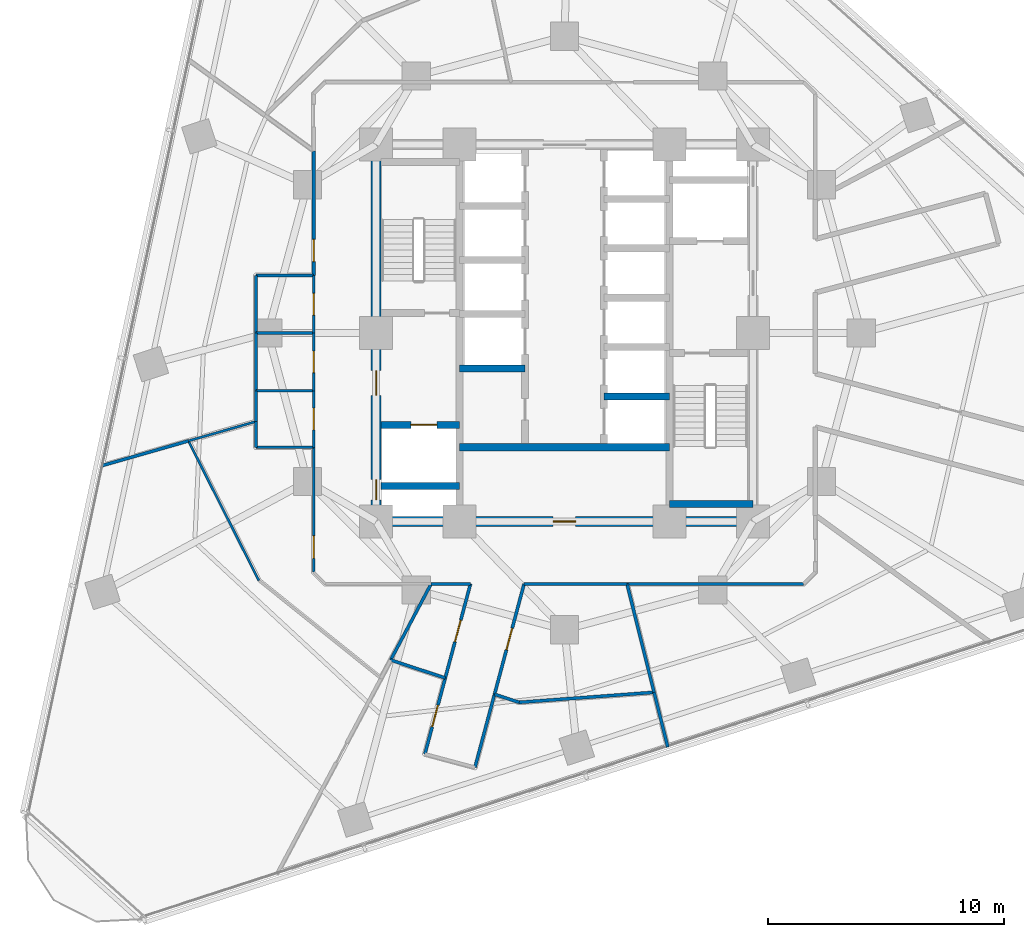
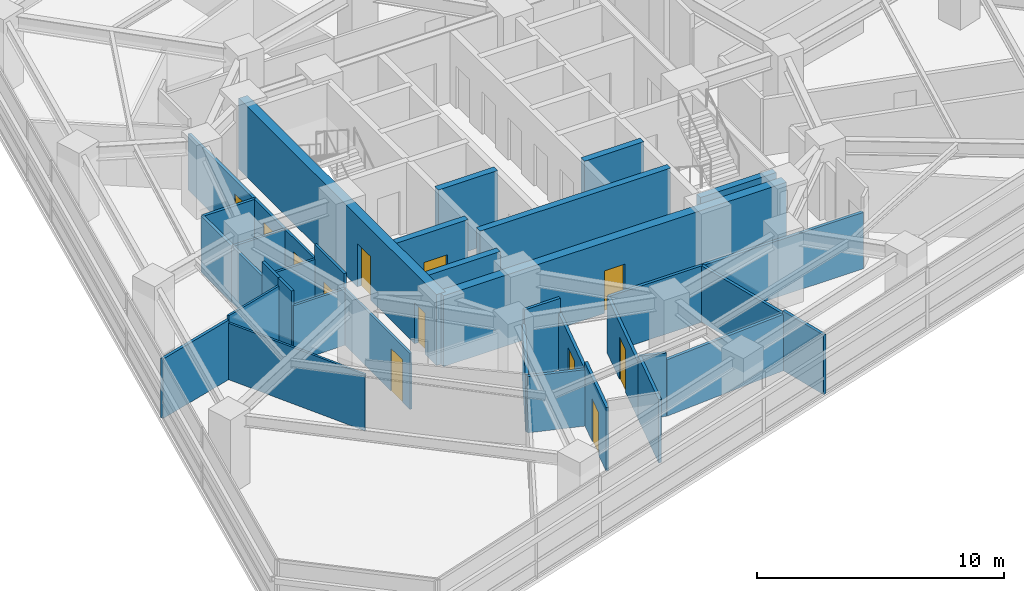
# One storey, part 7 of 13: 37 walls, 12 doors, 12 openings.
"""IFC4 building model written with IfcOpenShell, lengths in metres."""

from ifc_helpers import new_model, si_unit, direction, frame, frame_2d, origin, place, context, subcontext, project, spatial, rectangle, extrude, material, layer, layer_set, type_object, element, fill, save


model = new_model("IFC4")

# Units and contexts
model_context = context("Model", 3, precision=1e-05, world=origin(), true_north=direction((0.0, 1.0)))
body_context = subcontext(model_context, "Body", "Model", "MODEL_VIEW")
ifc_project = project(units=[si_unit("LENGTHUNIT", "METRE"), si_unit("AREAUNIT", "SQUARE_METRE"), si_unit("VOLUMEUNIT", "CUBIC_METRE"), si_unit("PLANEANGLEUNIT", "RADIAN"), si_unit("MASSUNIT", "GRAM", prefix="KILO")], contexts=[model_context])

# Site, building, storey
site_placement = place(None, origin())
site = spatial("IfcSite", under=ifc_project, at=site_placement, CompositionType="ELEMENT")
building_placement = place(site_placement, origin())
building = spatial("IfcBuilding", under=site, at=building_placement, Name="Terralouvre Media Tower", CompositionType="ELEMENT")
storey_placement = place(building_placement, frame((0.0, 0.0, 94.0)))
storey = spatial("IfcBuildingStorey", under=building, at=storey_placement, Name="L23", CompositionType="ELEMENT", Elevation=94.0)

# Wall
ifc_material_1 = material(Name="Concrete C50/60", Category="concrete")
ifc_layer_1 = layer(ifc_material_1, 0.300048828125, Name="Core Internal Shaft Wall CW-300")
ifc_layer_set_1 = layer_set([ifc_layer_1], Name="Concrete C50/60")
wall_type_1 = type_object("IfcWallType", Name="Core Internal Shaft Wall CW-300", PredefinedType="SHEAR", material=ifc_layer_set_1)
wall_1_placement = place(storey_placement, frame((4.449951171875, -7.260009765625, 0.0), z_axis=(0.0, 0.0, 1.0), x_axis=(1.0, 0.0, 0.0)))
element("IfcWall", 1, at=wall_1_placement, inside=storey, type_object=wall_type_1, Name="L23 Core Shaft Wall ST2F", PredefinedType="SHEAR", context=body_context, shape_type="SweptSolid", body=[
    extrude(rectangle(XDim=3.550048828125, YDim=0.300048828125, at=frame_2d((1.77490234375, 0.0))), origin(), (0.0, 0.0, 1.0), 3.5),
])

# Wall, opening, door
wall_2_placement = place(storey_placement, frame((-7.7900390625, -3.89990234375, 0.0), z_axis=(0.0, 0.0, 1.0), x_axis=(1.0, 0.0, 0.0)))
wall_2 = element("IfcWall", 2, at=wall_2_placement, inside=storey, type_object=wall_type_1, Name="L23 Core Shaft Wall FF1N", PredefinedType="SHEAR", context=body_context, shape_type="SweptSolid", body=[
    extrude(rectangle(XDim=3.340087890625, YDim=0.300048828125, at=frame_2d((1.669921875, 0.0))), origin(), (0.0, 0.0, 1.0), 3.5),
])
opening_1_placement = place(wall_2_placement, frame((1.27001953125, 0.0, 0.0)))
opening_1 = element("IfcOpeningElement", 3, at=opening_1_placement, cuts=wall_2, Name="Opening LD-FF", PredefinedType="OPENING", context=body_context, shape_type="SweptSolid", body=[
    extrude(rectangle(XDim=1.10009765625, YDim=2.10009765625, at=frame_2d((0.550048828125, 1.050048828125))), frame((0.0, 0.159912109375, 0.0), z_axis=(0.0, -1.0, 0.0), x_axis=(1.0, 0.0, 0.0)), (0.0, 0.0, 1.0), 0.320068359375),
])
ifc_material_2 = material(Name="Stainless steel 316 handrail and balustrade", Category="steel")
door_type_1 = type_object("IfcDoorType", Name="Firefighting Lift Sliding Landing Door LD-FF", OperationType="SLIDING_TO_LEFT", PredefinedType="DOOR", material=ifc_material_2)
door_1_placement = place(opening_1_placement, origin())
door_1 = element("IfcDoor", 4, at=door_1_placement, inside=storey, type_object=door_type_1, Name="L23 Firefighting Lift FFL-01 Landing Door", OperationType="SLIDING_TO_LEFT", OverallHeight=2.10009765625, OverallWidth=1.10009765625, PredefinedType="DOOR", context=body_context, shape_type="SweptSolid", body=[
    extrude(rectangle(XDim=1.10009765625, YDim=2.10009765625, at=frame_2d((0.550048828125, 1.050048828125))), frame((0.0, 0.02490234375, 0.0), z_axis=(0.0, -1.0, 0.0), x_axis=(1.0, 0.0, 0.0)), (0.0, 0.0, 1.0), 0.050048828125),
])
fill(opening_1, door_1)

# Walls
wall_3_placement = place(storey_placement, frame((-7.7900390625, -6.5, 0.0), z_axis=(0.0, 0.0, 1.0), x_axis=(1.0, 0.0, 0.0)))
element("IfcWall", 5, at=wall_3_placement, inside=storey, type_object=wall_type_1, Name="L23 Core Shaft Wall FF1S", PredefinedType="SHEAR", context=body_context, shape_type="SweptSolid", body=[
    extrude(rectangle(XDim=3.340087890625, YDim=0.300048828125, at=frame_2d((1.669921875, 0.0))), origin(), (0.0, 0.0, 1.0), 3.5),
])
wall_4_placement = place(storey_placement, frame((-4.449951171875, -4.85009765625, 0.0), z_axis=(0.0, 0.0, 1.0), x_axis=(1.0, 0.0, 0.0)))
element("IfcWall", 6, at=wall_4_placement, inside=storey, type_object=wall_type_1, Name="L23 Core Shaft Wall CSBN", PredefinedType="SHEAR", context=body_context, shape_type="SweptSolid", body=[
    extrude(rectangle(XDim=8.89990234375, YDim=0.300048828125, at=frame_2d((4.449951171875, 0.0))), origin(), (0.0, 0.0, 1.0), 3.5),
])
for number, where, z_axis, x_axis, name in (
    (7, (-4.449951171875, -1.5, 0.0), (0.0, 0.0, 1.0), (1.0, 0.0, 0.0), "L23 Core Shaft Wall PLLD0"),
    (8, (1.679931640625, -2.699951171875, 0.0), (0.0, 0.0, 1.0), (1.0, 0.0, 0.0), "L23 Core Shaft Wall PLHD1"),
):
    element("IfcWall", number, at=place(storey_placement, frame(where, z_axis=z_axis, x_axis=x_axis)), inside=storey, type_object=wall_type_1, Name=name, PredefinedType="SHEAR", context=body_context, shape_type="SweptSolid", body=[
        extrude(rectangle(XDim=2.77001953125, YDim=0.300048828125, at=frame_2d((1.385009765625, 0.0))), origin(), (0.0, 0.0, 1.0), 3.5),
    ])

# Wall, openings, doors
ifc_material_3 = material(Name="Concrete C60/75", Category="concrete")
ifc_layer_2 = layer(ifc_material_3, 0.419921875, Name="Core Reinforced Concrete Shear Wall CW-420")
ifc_layer_set_2 = layer_set([ifc_layer_2], Name="Concrete C60/75")
wall_type_2 = type_object("IfcWallType", Name="Core Reinforced Concrete Shear Wall CW-420", PredefinedType="SHEAR", material=ifc_layer_set_2)
wall_5_placement = place(storey_placement, frame((-8.0, -8.0, 0.0), z_axis=(0.0, 0.0, 1.0), x_axis=(0.0, 1.0, 0.0)))
wall_5 = element("IfcWall", 9, at=wall_5_placement, inside=storey, type_object=wall_type_2, Name="L23 W Core Shear Wall", PredefinedType="SHEAR", context=body_context, shape_type="SweptSolid", body=[
    extrude(rectangle(XDim=16.0, YDim=0.419921875, at=frame_2d((8.0, 0.0))), origin(), (0.0, 0.0, 1.0), 3.5),
])
opening_2_placement = place(wall_5_placement, frame((0.921630859375, 0.0, 0.0)))
opening_2 = element("IfcOpeningElement", 10, at=opening_2_placement, cuts=wall_5, Name="Opening TD-R1", PredefinedType="OPENING", context=body_context, shape_type="SweptSolid", body=[
    extrude(rectangle(XDim=0.85009765625, YDim=2.02001953125, at=frame_2d((0.425048828125, 1.010009765625))), frame((0.0, 0.219970703125, 0.0), z_axis=(0.0, -1.0, 0.0), x_axis=(1.0, 0.0, 0.0)), (0.0, 0.0, 1.0), 0.43994140625),
])
opening_3_placement = place(wall_5_placement, frame((5.35009765625, 0.0, 0.0)))
opening_3 = element("IfcOpeningElement", 11, at=opening_3_placement, cuts=wall_5, Name="Opening FD-01-105X215", PredefinedType="OPENING", context=body_context, shape_type="SweptSolid", body=[
    extrude(rectangle(XDim=1.050048828125, YDim=2.14990234375, at=frame_2d((0.52490234375, 1.074951171875))), frame((0.0, 0.219970703125, 0.0), z_axis=(0.0, -1.0, 0.0), x_axis=(1.0, 0.0, 0.0)), (0.0, 0.0, 1.0), 0.43994140625),
])
ifc_material_4 = material(Name="Galvanised steel fire-resisting leaf", Category="steel")
door_type_2 = type_object("IfcDoorType", Name="Riser Inspection Access Trapdoor TD-R1", OperationType="NOTDEFINED", PredefinedType="TRAPDOOR", material=ifc_material_4)
door_2_placement = place(opening_2_placement, origin())
door_2 = element("IfcDoor", 12, at=door_2_placement, inside=storey, type_object=door_type_2, Name="L23 Wet Riser Access Trapdoor", OperationType="SINGLE_SWING_LEFT", OverallHeight=2.02001953125, OverallWidth=0.85009765625, PredefinedType="TRAPDOOR", context=body_context, shape_type="SweptSolid", body=[
    extrude(rectangle(XDim=0.85009765625, YDim=2.02001953125, at=frame_2d((0.425048828125, 1.010009765625))), frame((0.0, 0.02490234375, 0.0), z_axis=(0.0, -1.0, 0.0), x_axis=(1.0, 0.0, 0.0)), (0.0, 0.0, 1.0), 0.050048828125),
])
fill(opening_2, door_2)
ifc_material_5 = material(Name="Galvanised steel fire-resisting leaf", Category="steel")
door_type_3 = type_object("IfcDoorType", Name="Stair and Firefighting Lobby Fire Door FD-01 (1050x2150)", OperationType="NOTDEFINED", PredefinedType="DOOR", material=ifc_material_5)
door_3_placement = place(opening_3_placement, origin())
door_3 = element("IfcDoor", 13, at=door_3_placement, inside=storey, type_object=door_type_3, Name="L23 West Firefighting Lobby Entry Door", OperationType="SINGLE_SWING_RIGHT", OverallHeight=2.14990234375, OverallWidth=1.050048828125, PredefinedType="DOOR", context=body_context, shape_type="SweptSolid", body=[
    extrude(rectangle(XDim=1.050048828125, YDim=2.14990234375, at=frame_2d((0.52490234375, 1.074951171875))), frame((0.0, 0.02490234375, 0.0), z_axis=(0.0, -1.0, 0.0), x_axis=(1.0, 0.0, 0.0)), (0.0, 0.0, 1.0), 0.050048828125),
])
fill(opening_3, door_3)

# Wall, opening, door
wall_6_placement = place(storey_placement, frame((-8.0, -8.0, 0.0), z_axis=(0.0, 0.0, 1.0), x_axis=(1.0, 0.0, 0.0)))
wall_6 = element("IfcWall", 14, at=wall_6_placement, inside=storey, type_object=wall_type_2, Name="L23 S Core Shear Wall", PredefinedType="SHEAR", context=body_context, shape_type="SweptSolid", body=[
    extrude(rectangle(XDim=16.0, YDim=0.419921875, at=frame_2d((8.0, 0.0))), origin(), (0.0, 0.0, 1.0), 3.5),
])
opening_4_placement = place(wall_6_placement, frame((7.52001953125, 0.0, 0.0)))
opening_4 = element("IfcOpeningElement", 15, at=opening_4_placement, cuts=wall_6, Name="Opening FD-02-95X210", PredefinedType="OPENING", context=body_context, shape_type="SweptSolid", body=[
    extrude(rectangle(XDim=0.949951171875, YDim=2.10009765625, at=frame_2d((0.47509765625, 1.050048828125))), frame((0.0, 0.219970703125, 0.0), z_axis=(0.0, -1.0, 0.0), x_axis=(1.0, 0.0, 0.0)), (0.0, 0.0, 1.0), 0.43994140625),
])
ifc_material_6 = material(Name="Galvanised steel fire-resisting leaf", Category="steel")
door_type_4 = type_object("IfcDoorType", Name="Plant and Riser Fire Door FD-02 (950x2100)", OperationType="NOTDEFINED", PredefinedType="DOOR", material=ifc_material_6)
door_4_placement = place(opening_4_placement, origin())
door_4 = element("IfcDoor", 16, at=door_4_placement, inside=storey, type_object=door_type_4, Name="L23 Core Switchgear Plant Door", OperationType="SINGLE_SWING_LEFT", OverallHeight=2.10009765625, OverallWidth=0.949951171875, PredefinedType="DOOR", context=body_context, shape_type="SweptSolid", body=[
    extrude(rectangle(XDim=0.949951171875, YDim=2.10009765625, at=frame_2d((0.47509765625, 1.050048828125))), frame((0.0, 0.02490234375, 0.0), z_axis=(0.0, -1.0, 0.0), x_axis=(1.0, 0.0, 0.0)), (0.0, 0.0, 1.0), 0.050048828125),
])
fill(opening_4, door_4)

ifc_material_7 = material(Name="Low-iron laminated double glazing with solar-control coating", Category="glass")
ifc_layer_3 = layer(ifc_material_7, 0.10009765625, Name="Demountable Glazed Office Partition PT-GL100")
ifc_layer_set_3 = layer_set([ifc_layer_3], Name="Low-iron laminated double glazing with solar-control coating")
wall_type_3 = type_object("IfcWallType", Name="Demountable Glazed Office Partition PT-GL100", PredefinedType="MOVABLE", material=ifc_layer_set_3)
wall_7_placement = place(storey_placement, frame((-10.64990234375, -4.85009765625, 0.0), z_axis=(0.0, 0.0, 1.0), x_axis=(0.0, -1.0, 0.0)))
wall_7 = element("IfcWall", 17, at=wall_7_placement, inside=storey, type_object=wall_type_3, Name="L23 Interior Partition 019", PredefinedType="MOVABLE", context=body_context, shape_type="SweptSolid", body=[
    extrude(rectangle(XDim=5.2998046875, YDim=0.10009765625, at=frame_2d((2.64990234375, 0.0))), origin(), (0.0, 0.0, 1.0), 2.784912109375),
])
opening_5_placement = place(wall_7_placement, frame((3.764892578125, 0.0, 0.0)))
opening_5 = element("IfcOpeningElement", 18, at=opening_5_placement, cuts=wall_7, Name="Opening ID-02-95X210", PredefinedType="OPENING", context=body_context, shape_type="SweptSolid", body=[
    extrude(rectangle(XDim=0.949951171875, YDim=2.10009765625, at=frame_2d((0.47509765625, 1.050048828125))), frame((0.0, 0.06005859375, 0.0), z_axis=(0.0, -1.0, 0.0), x_axis=(1.0, 0.0, 0.0)), (0.0, 0.0, 1.0), 0.1201171875),
])
ifc_material_8 = material(Name="Engineered hardwood acoustic timber leaf", Category="wood")
door_type_5 = type_object("IfcDoorType", Name="Office and Meeting Room Door ID-02 (950x2100)", OperationType="NOTDEFINED", PredefinedType="DOOR", material=ifc_material_8)
door_5_placement = place(opening_5_placement, origin())
door_5 = element("IfcDoor", 19, at=door_5_placement, inside=storey, type_object=door_type_5, Name="L23 Storyboarding Conference Room 5 Door", OperationType="SINGLE_SWING_RIGHT", OverallHeight=2.10009765625, OverallWidth=0.949951171875, PredefinedType="DOOR", context=body_context, shape_type="SweptSolid", body=[
    extrude(rectangle(XDim=0.949951171875, YDim=2.10009765625, at=frame_2d((0.47509765625, 1.050048828125))), frame((0.0, 0.02490234375, 0.0), z_axis=(0.0, -1.0, 0.0), x_axis=(1.0, 0.0, 0.0)), (0.0, 0.0, 1.0), 0.050048828125),
])
fill(opening_5, door_5)

# Walls
wall_8_placement = place(storey_placement, frame((-15.968017578125, -4.5791015625, 0.0), z_axis=(0.0, 0.0, 1.0), x_axis=(0.450166439867, -0.892944665933, 0.0)))
element("IfcWall", 20, at=wall_8_placement, inside=storey, type_object=wall_type_3, Name="L23 Interior Partition 049", PredefinedType="MOVABLE", context=body_context, shape_type="SweptSolid", body=[
    extrude(rectangle(XDim=6.641845703125, YDim=0.10009765625, at=frame_2d((3.32080078125, 0.0))), origin(), (0.0, 0.0, 1.0), 2.784912109375),
])
wall_9_placement = place(storey_placement, frame((-13.10009765625, -3.756103515625, 0.0), z_axis=(0.0, 0.0, 1.0), x_axis=(-0.961205264208, -0.275834080671, 0.0)))
element("IfcWall", 21, at=wall_9_placement, inside=storey, type_object=wall_type_3, Name="L23 Interior Partition 051", PredefinedType="MOVABLE", context=body_context, shape_type="SweptSolid", body=[
    extrude(rectangle(XDim=2.983642578125, YDim=0.10009765625, at=frame_2d((1.49169921875, 0.0))), origin(), (0.0, 0.0, 1.0), 3.125),
])
ifc_material_9 = material(Name="Fire-rated gypsum board drywall partition")
ifc_layer_4 = layer(ifc_material_9, 0.135009765625, Name="Newsroom Acoustic Partition PT-135")
ifc_layer_set_4 = layer_set([ifc_layer_4], Name="Fire-rated gypsum board drywall partition")
wall_type_4 = type_object("IfcWallType", Name="Newsroom Acoustic Partition PT-135", PredefinedType="PARTITIONING", material=ifc_layer_set_4)
wall_10_placement = place(storey_placement, frame((-5.6630859375, -10.64990234375, 0.0), z_axis=(0.0, 0.0, 1.0), x_axis=(1.0, 0.0, 0.0)))
element("IfcWall", 22, at=wall_10_placement, inside=storey, type_object=wall_type_4, Name="L23 Interior Partition 010", PredefinedType="PARTITIONING", context=body_context, shape_type="SweptSolid", body=[
    extrude(rectangle(XDim=1.671142578125, YDim=0.135009765625, at=frame_2d((0.83544921875, 0.0))), origin(), (0.0, 0.0, 1.0), 3.5),
])

# Wall, opening, door
wall_11_placement = place(storey_placement, frame((-3.991943359375, -10.64990234375, 0.0), z_axis=(0.0, 0.0, 1.0), x_axis=(-0.259046685972, -0.96586480135, 0.0)))
wall_11 = element("IfcWall", 23, at=wall_11_placement, inside=storey, type_object=wall_type_4, Name="L23 Interior Partition 011", PredefinedType="PARTITIONING", context=body_context, shape_type="SweptSolid", body=[
    extrude(rectangle(XDim=4.138427734375, YDim=0.135009765625, at=frame_2d((2.0693359375, 0.0))), origin(), (0.0, 0.0, 1.0), 2.784912109375),
])
opening_6_placement = place(wall_11_placement, frame((1.593994140625, 0.0, 0.0)))
opening_6 = element("IfcOpeningElement", 24, at=opening_6_placement, cuts=wall_11, Name="Opening ID-02-95X210", PredefinedType="OPENING", context=body_context, shape_type="SweptSolid", body=[
    extrude(rectangle(XDim=0.949951171875, YDim=2.10009765625, at=frame_2d((0.47509765625, 1.050048828125))), frame((0.0, 0.077392578125, 0.0), z_axis=(0.0, -1.0, 0.0), x_axis=(1.0, 0.0, 0.0)), (0.0, 0.0, 1.0), 0.155029296875),
])
door_6_placement = place(opening_6_placement, origin())
door_6 = element("IfcDoor", 25, at=door_6_placement, inside=storey, type_object=door_type_5, Name="L23 Master Film Reel Vault Store 2 Door", OperationType="SINGLE_SWING_LEFT", OverallHeight=2.10009765625, OverallWidth=0.949951171875, PredefinedType="DOOR", context=body_context, shape_type="SweptSolid", body=[
    extrude(rectangle(XDim=0.949951171875, YDim=2.10009765625, at=frame_2d((0.47509765625, 1.050048828125))), frame((0.0, 0.02490234375, 0.0), z_axis=(0.0, -1.0, 0.0), x_axis=(1.0, 0.0, 0.0)), (0.0, 0.0, 1.0), 0.050048828125),
])
fill(opening_6, door_6)

wall_12_placement = place(storey_placement, frame((-5.06396484375, -14.64697265625, 0.0), z_axis=(0.0, 0.0, 1.0), x_axis=(-0.258558355083, -0.965995640268, 0.0)))
wall_12 = element("IfcWall", 26, at=wall_12_placement, inside=storey, type_object=wall_type_4, Name="L23 Interior Partition 012", PredefinedType="PARTITIONING", context=body_context, shape_type="SweptSolid", body=[
    extrude(rectangle(XDim=3.341552734375, YDim=0.135009765625, at=frame_2d((1.6708984375, 0.0))), origin(), (0.0, 0.0, 1.0), 3.125),
])
opening_7_placement = place(wall_12_placement, frame((1.19580078125, 0.0, 0.0)))
opening_7 = element("IfcOpeningElement", 27, at=opening_7_placement, cuts=wall_12, Name="Opening ID-02-95X210", PredefinedType="OPENING", context=body_context, shape_type="SweptSolid", body=[
    extrude(rectangle(XDim=0.949951171875, YDim=2.10009765625, at=frame_2d((0.47509765625, 1.050048828125))), frame((0.0, 0.077392578125, 0.0), z_axis=(0.0, -1.0, 0.0), x_axis=(1.0, 0.0, 0.0)), (0.0, 0.0, 1.0), 0.155029296875),
])
door_7_placement = place(opening_7_placement, origin())
door_7 = element("IfcDoor", 28, at=door_7_placement, inside=storey, type_object=door_type_5, Name="L23 Grading Client Lounge 3 Door", OperationType="SINGLE_SWING_RIGHT", OverallHeight=2.10009765625, OverallWidth=0.949951171875, PredefinedType="DOOR", context=body_context, shape_type="SweptSolid", body=[
    extrude(rectangle(XDim=0.949951171875, YDim=2.10009765625, at=frame_2d((0.47509765625, 1.050048828125))), frame((0.0, 0.02490234375, 0.0), z_axis=(0.0, -1.0, 0.0), x_axis=(1.0, 0.0, 0.0)), (0.0, 0.0, 1.0), 0.050048828125),
])
fill(opening_7, door_7)

# Wall
wall_13_placement = place(storey_placement, frame((-3.802978515625, -18.444091796875, 0.0), z_axis=(0.0, 0.0, 1.0), x_axis=(0.258739880159, 0.965947034995, 0.0)))
element("IfcWall", 29, at=wall_13_placement, inside=storey, type_object=wall_type_4, Name="L23 Interior Partition 014", PredefinedType="PARTITIONING", context=body_context, shape_type="SweptSolid", body=[
    extrude(rectangle(XDim=3.2158203125, YDim=0.135009765625, at=frame_2d((1.60791015625, 0.0))), origin(), (0.0, 0.0, 1.0), 3.125),
])

# Wall, opening, door
wall_14_placement = place(storey_placement, frame((-2.970947265625, -15.337890625, 0.0), z_axis=(0.0, 0.0, 1.0), x_axis=(0.258764582319, 0.965940417902, 0.0)))
wall_14 = element("IfcWall", 30, at=wall_14_placement, inside=storey, type_object=wall_type_4, Name="L23 Interior Partition 015", PredefinedType="PARTITIONING", context=body_context, shape_type="SweptSolid", body=[
    extrude(rectangle(XDim=4.853271484375, YDim=0.135009765625, at=frame_2d((2.4267578125, 0.0))), origin(), (0.0, 0.0, 1.0), 2.784912109375),
])
opening_8_placement = place(wall_14_placement, frame((1.95166015625, 0.0, 0.0)))
opening_8 = element("IfcOpeningElement", 31, at=opening_8_placement, cuts=wall_14, Name="Opening ID-02-95X210", PredefinedType="OPENING", context=body_context, shape_type="SweptSolid", body=[
    extrude(rectangle(XDim=0.949951171875, YDim=2.10009765625, at=frame_2d((0.47509765625, 1.050048828125))), frame((0.0, 0.077392578125, 0.0), z_axis=(0.0, -1.0, 0.0), x_axis=(1.0, 0.0, 0.0)), (0.0, 0.0, 1.0), 0.155029296875),
])
door_8_placement = place(opening_8_placement, origin())
door_8 = element("IfcDoor", 32, at=door_8_placement, inside=storey, type_object=door_type_5, Name="L23 Editorial Collaborative Open Office 4 Door", OperationType="SINGLE_SWING_LEFT", OverallHeight=2.10009765625, OverallWidth=0.949951171875, PredefinedType="DOOR", context=body_context, shape_type="SweptSolid", body=[
    extrude(rectangle(XDim=0.949951171875, YDim=2.10009765625, at=frame_2d((0.47509765625, 1.050048828125))), frame((0.0, 0.02490234375, 0.0), z_axis=(0.0, -1.0, 0.0), x_axis=(1.0, 0.0, 0.0)), (0.0, 0.0, 1.0), 0.050048828125),
])
fill(opening_8, door_8)

# Walls
wall_15_placement = place(storey_placement, frame((-1.715087890625, -10.64990234375, 0.0), z_axis=(0.0, 0.0, 1.0), x_axis=(1.0, 0.0, 0.0)))
element("IfcWall", 33, at=wall_15_placement, inside=storey, type_object=wall_type_4, Name="L23 Interior Partition 016", PredefinedType="PARTITIONING", context=body_context, shape_type="SweptSolid", body=[
    extrude(rectangle(XDim=4.3701171875, YDim=0.135009765625, at=frame_2d((2.18505859375, 0.0))), origin(), (0.0, 0.0, 1.0), 2.784912109375),
])
wall_16_placement = place(storey_placement, frame((2.655029296875, -10.64990234375, 0.0), z_axis=(0.0, 0.0, 1.0), x_axis=(1.0, 0.0, 0.0)))
element("IfcWall", 34, at=wall_16_placement, inside=storey, type_object=wall_type_4, Name="L23 Interior Partition 022", PredefinedType="PARTITIONING", context=body_context, shape_type="SweptSolid", body=[
    extrude(rectangle(XDim=7.494873046875, YDim=0.135009765625, at=frame_2d((3.74755859375, 0.0))), origin(), (0.0, 0.0, 1.0), 2.784912109375),
])

# Wall, opening, door
wall_17_placement = place(storey_placement, frame((-10.64990234375, 7.738037109375, 0.0), z_axis=(0.0, 0.0, 1.0), x_axis=(0.0, -1.0, 0.0)))
wall_17 = element("IfcWall", 35, at=wall_17_placement, inside=storey, type_object=wall_type_4, Name="L23 Interior Partition 031", PredefinedType="PARTITIONING", context=body_context, shape_type="SweptSolid", body=[
    extrude(rectangle(XDim=5.2880859375, YDim=0.135009765625, at=frame_2d((2.64404296875, 0.0))), origin(), (0.0, 0.0, 1.0), 2.784912109375),
])
opening_9_placement = place(wall_17_placement, frame((3.75537109375, 0.0, 0.0)))
opening_9 = element("IfcOpeningElement", 36, at=opening_9_placement, cuts=wall_17, Name="Opening ID-02-95X210", PredefinedType="OPENING", context=body_context, shape_type="SweptSolid", body=[
    extrude(rectangle(XDim=0.949951171875, YDim=2.10009765625, at=frame_2d((0.47509765625, 1.050048828125))), frame((0.0, 0.077392578125, 0.0), z_axis=(0.0, -1.0, 0.0), x_axis=(1.0, 0.0, 0.0)), (0.0, 0.0, 1.0), 0.155029296875),
])
door_9_placement = place(opening_9_placement, origin())
door_9 = element("IfcDoor", 37, at=door_9_placement, inside=storey, type_object=door_type_5, Name="L23 Documentary Archive Library 11 Door", OperationType="SINGLE_SWING_RIGHT", OverallHeight=2.10009765625, OverallWidth=0.949951171875, PredefinedType="DOOR", context=body_context, shape_type="SweptSolid", body=[
    extrude(rectangle(XDim=0.949951171875, YDim=2.10009765625, at=frame_2d((0.47509765625, 1.050048828125))), frame((0.0, 0.02490234375, 0.0), z_axis=(0.0, -1.0, 0.0), x_axis=(1.0, 0.0, 0.0)), (0.0, 0.0, 1.0), 0.050048828125),
])
fill(opening_9, door_9)

# Walls
wall_18_placement = place(storey_placement, frame((-7.382080078125, -13.883056640625, 0.0), z_axis=(0.0, 0.0, 1.0), x_axis=(0.949758055829, -0.312985040199, 0.0)))
element("IfcWall", 38, at=wall_18_placement, inside=storey, type_object=wall_type_4, Name="L23 Interior Partition 035", PredefinedType="PARTITIONING", context=body_context, shape_type="SweptSolid", body=[
    extrude(rectangle(XDim=2.440673828125, YDim=0.135009765625, at=frame_2d((1.22021484375, 0.0))), origin(), (0.0, 0.0, 1.0), 2.784912109375),
])
wall_19_placement = place(storey_placement, frame((-5.6630859375, -10.64990234375, 0.0), z_axis=(0.0, 0.0, 1.0), x_axis=(-0.469449315633, -0.882959421521, 0.0)))
element("IfcWall", 39, at=wall_19_placement, inside=storey, type_object=wall_type_4, Name="L23 Interior Partition 036", PredefinedType="PARTITIONING", context=body_context, shape_type="SweptSolid", body=[
    extrude(rectangle(XDim=3.66162109375, YDim=0.135009765625, at=frame_2d((1.830810546875, 0.0))), origin(), (0.0, 0.0, 1.0), 2.784912109375),
])
wall_20_placement = place(storey_placement, frame((3.803955078125, -15.256103515625, 0.0), z_axis=(0.0, 0.0, 1.0), x_axis=(-0.99725056907, -0.07410332307, 0.0)))
element("IfcWall", 40, at=wall_20_placement, inside=storey, type_object=wall_type_4, Name="L23 Interior Partition 037", PredefinedType="PARTITIONING", context=body_context, shape_type="SweptSolid", body=[
    extrude(rectangle(XDim=5.745849609375, YDim=0.135009765625, at=frame_2d((2.873046875, 0.0))), origin(), (0.0, 0.0, 1.0), 2.784912109375),
])
wall_21_placement = place(storey_placement, frame((-1.926025390625, -15.681884765625, 0.0), z_axis=(0.0, 0.0, 1.0), x_axis=(-0.949852955326, 0.312696919171, 0.0)))
element("IfcWall", 41, at=wall_21_placement, inside=storey, type_object=wall_type_4, Name="L23 Interior Partition 038", PredefinedType="PARTITIONING", context=body_context, shape_type="SweptSolid", body=[
    extrude(rectangle(XDim=1.10009765625, YDim=0.135009765625, at=frame_2d((0.550048828125, 0.0))), origin(), (0.0, 0.0, 1.0), 3.125),
])
wall_22_placement = place(storey_placement, frame((4.3828125, -17.578125, 0.0), z_axis=(0.0, 0.0, 1.0), x_axis=(-0.241887449135, 0.970304314095, 0.0)))
element("IfcWall", 42, at=wall_22_placement, inside=storey, type_object=wall_type_4, Name="L23 Interior Partition 041", PredefinedType="PARTITIONING", context=body_context, shape_type="SweptSolid", body=[
    extrude(rectangle(XDim=2.39306640625, YDim=0.135009765625, at=frame_2d((1.196533203125, 0.0))), origin(), (0.0, 0.0, 1.0), 2.93505859375),
])
wall_23_placement = place(storey_placement, frame((3.803955078125, -15.256103515625, 0.0), z_axis=(0.0, 0.0, 1.0), x_axis=(-0.24201527033, 0.970272440569, 0.0)))
element("IfcWall", 43, at=wall_23_placement, inside=storey, type_object=wall_type_4, Name="L23 Interior Partition 042", PredefinedType="PARTITIONING", context=body_context, shape_type="SweptSolid", body=[
    extrude(rectangle(XDim=4.747314453125, YDim=0.135009765625, at=frame_2d((2.37353515625, 0.0))), origin(), (0.0, 0.0, 1.0), 2.784912109375),
])
wall_24_placement = place(storey_placement, frame((-15.968017578125, -4.5791015625, 0.0), z_axis=(0.0, 0.0, 1.0), x_axis=(-0.961294264275, -0.275523751194, 0.0)))
element("IfcWall", 44, at=wall_24_placement, inside=storey, type_object=wall_type_4, Name="L23 Interior Partition 052", PredefinedType="PARTITIONING", context=body_context, shape_type="SweptSolid", body=[
    extrude(rectangle(XDim=3.856201171875, YDim=0.135009765625, at=frame_2d((1.92822265625, 0.0))), origin(), (0.0, 0.0, 1.0), 2.93505859375),
])
wall_25_placement = place(storey_placement, frame((-13.10009765625, 0.0, 0.0), z_axis=(0.0, 0.0, 1.0), x_axis=(0.0, 1.0, 0.0)))
element("IfcWall", 45, at=wall_25_placement, inside=storey, type_object=wall_type_4, Name="L23 Interior Partition 059", PredefinedType="PARTITIONING", context=body_context, shape_type="SweptSolid", body=[
    extrude(rectangle(XDim=2.449951171875, YDim=0.135009765625, at=frame_2d((1.22509765625, 0.0))), origin(), (0.0, 0.0, 1.0), 2.784912109375),
])
wall_26_placement = place(storey_placement, frame((-13.10009765625, 2.449951171875, 0.0), z_axis=(0.0, 0.0, 1.0), x_axis=(1.0, 0.0, 0.0)))
element("IfcWall", 46, at=wall_26_placement, inside=storey, type_object=wall_type_4, Name="L23 Interior Partition 060", PredefinedType="PARTITIONING", context=body_context, shape_type="SweptSolid", body=[
    extrude(rectangle(XDim=2.4501953125, YDim=0.135009765625, at=frame_2d((1.22509765625, 0.0))), origin(), (0.0, 0.0, 1.0), 2.784912109375),
])

# Wall, opening, door
ifc_material_10 = material(Name="Fire-rated gypsum board drywall partition")
ifc_layer_5 = layer(ifc_material_10, 0.114990234375, Name="Restroom and Pantry Partition PT-115")
ifc_layer_set_5 = layer_set([ifc_layer_5], Name="Fire-rated gypsum board drywall partition")
wall_type_5 = type_object("IfcWallType", Name="Restroom and Pantry Partition PT-115", PredefinedType="PARTITIONING", material=ifc_layer_set_5)
wall_27_placement = place(storey_placement, frame((-10.64990234375, 0.0, 0.0), z_axis=(0.0, 0.0, 1.0), x_axis=(0.0, -1.0, 0.0)))
wall_27 = element("IfcWall", 47, at=wall_27_placement, inside=storey, type_object=wall_type_5, Name="L23 Interior Partition 017", PredefinedType="PARTITIONING", context=body_context, shape_type="SweptSolid", body=[
    extrude(rectangle(XDim=2.449951171875, YDim=0.114990234375, at=frame_2d((1.22509765625, 0.0))), origin(), (0.0, 0.0, 1.0), 2.784912109375),
])
opening_10_placement = place(wall_27_placement, frame((0.764892578125, 0.0, 0.0)))
opening_10 = element("IfcOpeningElement", 48, at=opening_10_placement, cuts=wall_27, Name="Opening ID-03-92X210", PredefinedType="OPENING", context=body_context, shape_type="SweptSolid", body=[
    extrude(rectangle(XDim=0.919921875, YDim=2.10009765625, at=frame_2d((0.4599609375, 1.050048828125))), frame((0.0, 0.0673828125, 0.0), z_axis=(0.0, -1.0, 0.0), x_axis=(1.0, 0.0, 0.0)), (0.0, 0.0, 1.0), 0.135009765625),
])
ifc_material_11 = material(Name="Engineered hardwood acoustic timber leaf", Category="wood")
door_type_6 = type_object("IfcDoorType", Name="Accessible Restroom and Suite Door ID-03 (920x2100)", OperationType="NOTDEFINED", PredefinedType="DOOR", material=ifc_material_11)
door_10_placement = place(opening_10_placement, origin())
door_10 = element("IfcDoor", 49, at=door_10_placement, inside=storey, type_object=door_type_6, Name="L23 Female Restroom WC Door", OperationType="SINGLE_SWING_RIGHT", OverallHeight=2.10009765625, OverallWidth=0.919921875, PredefinedType="DOOR", context=body_context, shape_type="SweptSolid", body=[
    extrude(rectangle(XDim=0.919921875, YDim=2.10009765625, at=frame_2d((0.4599609375, 1.050048828125))), frame((0.0, 0.02490234375, 0.0), z_axis=(0.0, -1.0, 0.0), x_axis=(1.0, 0.0, 0.0)), (0.0, 0.0, 1.0), 0.050048828125),
])
fill(opening_10, door_10)

wall_28_placement = place(storey_placement, frame((-10.64990234375, -2.449951171875, 0.0), z_axis=(0.0, 0.0, 1.0), x_axis=(0.0, -1.0, 0.0)))
wall_28 = element("IfcWall", 50, at=wall_28_placement, inside=storey, type_object=wall_type_5, Name="L23 Interior Partition 018", PredefinedType="PARTITIONING", context=body_context, shape_type="SweptSolid", body=[
    extrude(rectangle(XDim=2.400146484375, YDim=0.114990234375, at=frame_2d((1.2001953125, 0.0))), origin(), (0.0, 0.0, 1.0), 3.5),
])
opening_11_placement = place(wall_28_placement, frame((0.739990234375, 0.0, 0.0)))
opening_11 = element("IfcOpeningElement", 51, at=opening_11_placement, cuts=wall_28, Name="Opening ID-03-92X210", PredefinedType="OPENING", context=body_context, shape_type="SweptSolid", body=[
    extrude(rectangle(XDim=0.919921875, YDim=2.10009765625, at=frame_2d((0.4599609375, 1.050048828125))), frame((0.0, 0.0673828125, 0.0), z_axis=(0.0, -1.0, 0.0), x_axis=(1.0, 0.0, 0.0)), (0.0, 0.0, 1.0), 0.135009765625),
])
door_11_placement = place(opening_11_placement, origin())
door_11 = element("IfcDoor", 52, at=door_11_placement, inside=storey, type_object=door_type_6, Name="L23 Male Restroom WC Door", OperationType="SINGLE_SWING_LEFT", OverallHeight=2.10009765625, OverallWidth=0.919921875, PredefinedType="DOOR", context=body_context, shape_type="SweptSolid", body=[
    extrude(rectangle(XDim=0.919921875, YDim=2.10009765625, at=frame_2d((0.4599609375, 1.050048828125))), frame((0.0, 0.02490234375, 0.0), z_axis=(0.0, -1.0, 0.0), x_axis=(1.0, 0.0, 0.0)), (0.0, 0.0, 1.0), 0.050048828125),
])
fill(opening_11, door_11)

wall_29_placement = place(storey_placement, frame((-10.64990234375, 2.449951171875, 0.0), z_axis=(0.0, 0.0, 1.0), x_axis=(0.0, -1.0, 0.0)))
wall_29 = element("IfcWall", 53, at=wall_29_placement, inside=storey, type_object=wall_type_5, Name="L23 Interior Partition 032", PredefinedType="PARTITIONING", context=body_context, shape_type="SweptSolid", body=[
    extrude(rectangle(XDim=2.449951171875, YDim=0.114990234375, at=frame_2d((1.22509765625, 0.0))), origin(), (0.0, 0.0, 1.0), 2.784912109375),
])
opening_12_placement = place(wall_29_placement, frame((0.764892578125, 0.0, 0.0)))
opening_12 = element("IfcOpeningElement", 54, at=opening_12_placement, cuts=wall_29, Name="Opening ID-03-92X210", PredefinedType="OPENING", context=body_context, shape_type="SweptSolid", body=[
    extrude(rectangle(XDim=0.919921875, YDim=2.10009765625, at=frame_2d((0.4599609375, 1.050048828125))), frame((0.0, 0.0673828125, 0.0), z_axis=(0.0, -1.0, 0.0), x_axis=(1.0, 0.0, 0.0)), (0.0, 0.0, 1.0), 0.135009765625),
])
door_12_placement = place(opening_12_placement, origin())
door_12 = element("IfcDoor", 55, at=door_12_placement, inside=storey, type_object=door_type_6, Name="L23 Accessible Unisex WC Door", OperationType="SINGLE_SWING_LEFT", OverallHeight=2.10009765625, OverallWidth=0.919921875, PredefinedType="DOOR", context=body_context, shape_type="SweptSolid", body=[
    extrude(rectangle(XDim=0.919921875, YDim=2.10009765625, at=frame_2d((0.4599609375, 1.050048828125))), frame((0.0, 0.02490234375, 0.0), z_axis=(0.0, -1.0, 0.0), x_axis=(1.0, 0.0, 0.0)), (0.0, 0.0, 1.0), 0.050048828125),
])
fill(opening_12, door_12)

# Walls
wall_30_placement = place(storey_placement, frame((-13.10009765625, -2.449951171875, 0.0), z_axis=(0.0, 0.0, 1.0), x_axis=(1.0, 0.0, 0.0)))
element("IfcWall", 56, at=wall_30_placement, inside=storey, type_object=wall_type_5, Name="L23 Interior Partition 043", PredefinedType="PARTITIONING", context=body_context, shape_type="SweptSolid", body=[
    extrude(rectangle(XDim=2.4501953125, YDim=0.114990234375, at=frame_2d((1.22509765625, 0.0))), origin(), (0.0, 0.0, 1.0), 2.784912109375),
])
wall_31_placement = place(storey_placement, frame((-13.10009765625, 0.0, 0.0), z_axis=(0.0, 0.0, 1.0), x_axis=(0.0, -1.0, 0.0)))
element("IfcWall", 57, at=wall_31_placement, inside=storey, type_object=wall_type_5, Name="L23 Interior Partition 044", PredefinedType="PARTITIONING", context=body_context, shape_type="SweptSolid", body=[
    extrude(rectangle(XDim=2.449951171875, YDim=0.114990234375, at=frame_2d((1.22509765625, 0.0))), origin(), (0.0, 0.0, 1.0), 2.784912109375),
])
wall_32_placement = place(storey_placement, frame((-10.64990234375, 0.0, 0.0), z_axis=(0.0, 0.0, 1.0), x_axis=(-1.0, 0.0, 0.0)))
element("IfcWall", 58, at=wall_32_placement, inside=storey, type_object=wall_type_5, Name="L23 Interior Partition 045", PredefinedType="PARTITIONING", context=body_context, shape_type="SweptSolid", body=[
    extrude(rectangle(XDim=2.4501953125, YDim=0.114990234375, at=frame_2d((1.22509765625, 0.0))), origin(), (0.0, 0.0, 1.0), 2.784912109375),
])
wall_33_placement = place(storey_placement, frame((-13.10009765625, -3.756103515625, 0.0), z_axis=(0.0, 0.0, 1.0), x_axis=(0.0, -1.0, 0.0)))
element("IfcWall", 59, at=wall_33_placement, inside=storey, type_object=wall_type_5, Name="L23 Interior Partition 046", PredefinedType="PARTITIONING", context=body_context, shape_type="SweptSolid", body=[
    extrude(rectangle(XDim=1.093994140625, YDim=0.114990234375, at=frame_2d((0.546875, 0.0))), origin(), (0.0, 0.0, 1.0), 3.5),
])
wall_34_placement = place(storey_placement, frame((-13.10009765625, -4.85009765625, 0.0), z_axis=(0.0, 0.0, 1.0), x_axis=(1.0, 0.0, 0.0)))
element("IfcWall", 60, at=wall_34_placement, inside=storey, type_object=wall_type_5, Name="L23 Interior Partition 047", PredefinedType="PARTITIONING", context=body_context, shape_type="SweptSolid", body=[
    extrude(rectangle(XDim=2.4501953125, YDim=0.114990234375, at=frame_2d((1.22509765625, 0.0))), origin(), (0.0, 0.0, 1.0), 2.784912109375),
])
wall_35_placement = place(storey_placement, frame((-13.10009765625, -2.449951171875, 0.0), z_axis=(0.0, 0.0, 1.0), x_axis=(0.0, -1.0, 0.0)))
element("IfcWall", 61, at=wall_35_placement, inside=storey, type_object=wall_type_5, Name="L23 Interior Partition 048", PredefinedType="PARTITIONING", context=body_context, shape_type="SweptSolid", body=[
    extrude(rectangle(XDim=1.30615234375, YDim=0.114990234375, at=frame_2d((0.653076171875, 0.0))), origin(), (0.0, 0.0, 1.0), 3.5),
])

save(model, "model.ifc")
